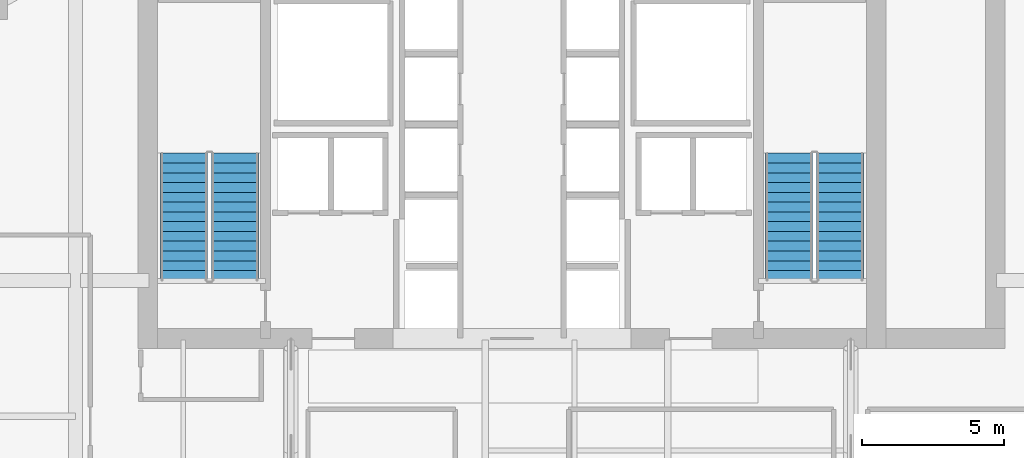
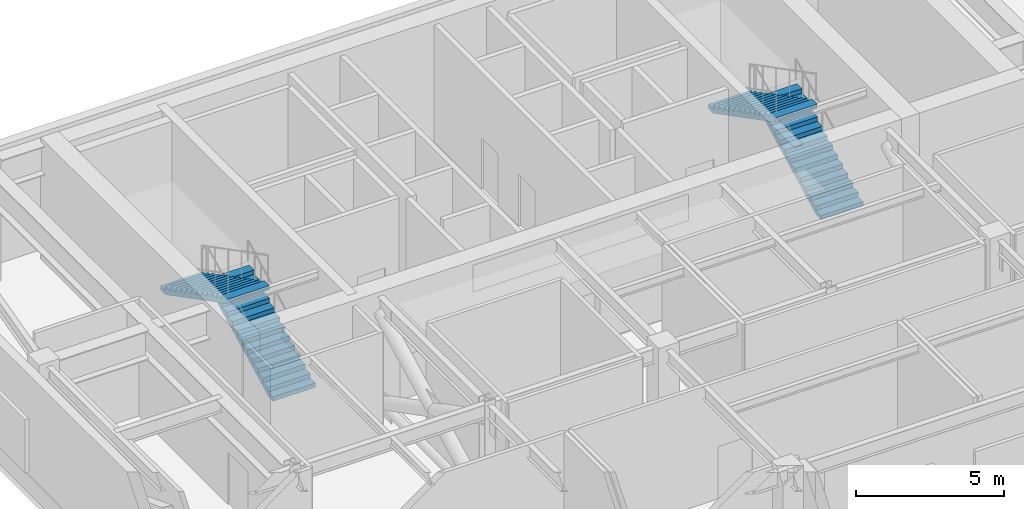
# One storey, part 7 of 12: 4 stair flights, 2 elements without a shape of their own.
"""IFC4 building model written with IfcOpenShell, lengths in metres."""

from ifc_helpers import new_model, si_unit, direction, frame, origin, place, context, subcontext, project, spatial, polyline, outline, extrude, material, type_object, element, aggregate, save


model = new_model("IFC4")

# Units and contexts
model_context = context("Model", 3, precision=1e-05, world=origin(), true_north=direction((0.0, 1.0)))
body_context = subcontext(model_context, "Body", "Model", "MODEL_VIEW")
ifc_project = project(units=[si_unit("LENGTHUNIT", "METRE"), si_unit("AREAUNIT", "SQUARE_METRE"), si_unit("VOLUMEUNIT", "CUBIC_METRE"), si_unit("PLANEANGLEUNIT", "RADIAN"), si_unit("MASSUNIT", "GRAM", prefix="KILO")], contexts=[model_context])

# Site, building, storey
site_placement = place(None, origin())
site = spatial("IfcSite", under=ifc_project, at=site_placement, CompositionType="ELEMENT")
building_placement = place(site_placement, origin())
building = spatial("IfcBuilding", under=site, at=building_placement, Name="Tolvann Quenvar Hotel", CompositionType="ELEMENT")
storey_placement = place(building_placement, frame((0.0, 0.0, 182.550048828125)))
storey = spatial("IfcBuildingStorey", under=building, at=storey_placement, Name="L48", CompositionType="ELEMENT", Elevation=182.550048828125)

# Stair, stair flights
ifc_material = material(Name="Concrete N40 (40 MPa)", Category="concrete")
stair_type = type_object("IfcStairType", Name="STAIR", PredefinedType="HALF_TURN_STAIR", material=ifc_material)
stair_1_placement = place(storey_placement, origin())
stair_1 = element("IfcStair", 1, at=stair_1_placement, inside=storey, type_object=stair_type, Name="L48 ST-C1", PredefinedType="HALF_TURN_STAIR")
stair_flight_type = type_object("IfcStairFlightType", Name="STAIR_FLIGHT", PredefinedType="STRAIGHT", material=ifc_material)
stair_flight_1_placement = place(storey_placement, frame((13.22509765625, 34.0, 0.0), z_axis=(0.0, 0.0, 1.0), x_axis=(0.0, 1.0, 0.0)))
stair_flight_1 = element("IfcStairFlight", 2, at=stair_flight_1_placement, type_object=stair_flight_type, Name="ST-C1 flight 1", NumberOfRisers=14, NumberOfTreads=13, PredefinedType="STRAIGHT", RiserHeight=0.178571429, TreadLength=0.345, context=body_context, shape_type="SweptSolid", body=[
    extrude(outline(polyline([(0.0, 0.0), (0.0, 0.178466796875), (0.344970703125, 0.178466796875), (0.344970703125, 0.357177734375), (0.68994140625, 0.357177734375), (0.68994140625, 0.53564453125), (1.034912109375, 0.53564453125), (1.034912109375, 0.71435546875), (1.3798828125, 0.71435546875), (1.3798828125, 0.892822265625), (1.72509765625, 0.892822265625), (1.72509765625, 1.071533203125), (2.070068359375, 1.071533203125), (2.070068359375, 1.25), (2.4150390625, 1.25), (2.4150390625, 1.428466796875), (2.760009765625, 1.428466796875), (2.760009765625, 1.607177734375), (3.10498046875, 1.607177734375), (3.10498046875, 1.78564453125), (3.449951171875, 1.78564453125), (3.449951171875, 1.96435546875), (3.794921875, 1.96435546875), (3.794921875, 2.142822265625), (4.139892578125, 2.142822265625), (4.139892578125, 2.321533203125), (4.485107421875, 2.321533203125), (4.485107421875, 2.5), (4.485107421875, 2.152587890625), (0.326171875, 0.0), (0.0, 0.0)])), frame((0.0, 0.824951171875, 0.0), z_axis=(0.0, -1.0, 0.0), x_axis=(1.0, 0.0, 0.0)), (0.0, 0.0, 1.0), 1.64990234375),
])
stair_flight_2_placement = place(storey_placement, frame((11.425048828125, 38.485107421875, 2.5), z_axis=(0.0, 0.0, 1.0), x_axis=(0.0, -1.0, 0.0)))
stair_flight_2 = element("IfcStairFlight", 3, at=stair_flight_2_placement, type_object=stair_flight_type, Name="ST-C1 flight 2", NumberOfRisers=14, NumberOfTreads=13, PredefinedType="STRAIGHT", RiserHeight=0.178571429, TreadLength=0.345, context=body_context, shape_type="SweptSolid", body=[
    extrude(outline(polyline([(0.0, 0.0), (0.0, 0.178466796875), (0.344970703125, 0.178466796875), (0.344970703125, 0.357177734375), (0.68994140625, 0.357177734375), (0.68994140625, 0.53564453125), (1.034912109375, 0.53564453125), (1.034912109375, 0.71435546875), (1.3798828125, 0.71435546875), (1.3798828125, 0.892822265625), (1.72509765625, 0.892822265625), (1.72509765625, 1.071533203125), (2.070068359375, 1.071533203125), (2.070068359375, 1.25), (2.4150390625, 1.25), (2.4150390625, 1.428466796875), (2.760009765625, 1.428466796875), (2.760009765625, 1.607177734375), (3.10498046875, 1.607177734375), (3.10498046875, 1.78564453125), (3.449951171875, 1.78564453125), (3.449951171875, 1.96435546875), (3.794921875, 1.96435546875), (3.794921875, 2.142822265625), (4.139892578125, 2.142822265625), (4.139892578125, 2.321533203125), (4.485107421875, 2.321533203125), (4.485107421875, 2.5), (4.485107421875, 2.152587890625), (0.326171875, 0.0), (0.0, 0.0)])), frame((0.0, 0.824951171875, 0.0), z_axis=(0.0, -1.0, 0.0), x_axis=(1.0, 0.0, 0.0)), (0.0, 0.0, 1.0), 1.64990234375),
])
aggregate(stair_1, [stair_flight_1, stair_flight_2])

stair_2_placement = place(storey_placement, origin())
stair_2 = element("IfcStair", 4, at=stair_2_placement, inside=storey, type_object=stair_type, Name="L48 ST-C2", PredefinedType="HALF_TURN_STAIR")
stair_flight_3_placement = place(storey_placement, frame((34.574951171875, 34.0, 0.0), z_axis=(0.0, 0.0, 1.0), x_axis=(0.0, 1.0, 0.0)))
stair_flight_3 = element("IfcStairFlight", 5, at=stair_flight_3_placement, type_object=stair_flight_type, Name="ST-C2 flight 1", NumberOfRisers=14, NumberOfTreads=13, PredefinedType="STRAIGHT", RiserHeight=0.178571429, TreadLength=0.345, context=body_context, shape_type="SweptSolid", body=[
    extrude(outline(polyline([(0.0, 0.0), (0.0, 0.178466796875), (0.344970703125, 0.178466796875), (0.344970703125, 0.357177734375), (0.68994140625, 0.357177734375), (0.68994140625, 0.53564453125), (1.034912109375, 0.53564453125), (1.034912109375, 0.71435546875), (1.3798828125, 0.71435546875), (1.3798828125, 0.892822265625), (1.72509765625, 0.892822265625), (1.72509765625, 1.071533203125), (2.070068359375, 1.071533203125), (2.070068359375, 1.25), (2.4150390625, 1.25), (2.4150390625, 1.428466796875), (2.760009765625, 1.428466796875), (2.760009765625, 1.607177734375), (3.10498046875, 1.607177734375), (3.10498046875, 1.78564453125), (3.449951171875, 1.78564453125), (3.449951171875, 1.96435546875), (3.794921875, 1.96435546875), (3.794921875, 2.142822265625), (4.139892578125, 2.142822265625), (4.139892578125, 2.321533203125), (4.485107421875, 2.321533203125), (4.485107421875, 2.5), (4.485107421875, 2.152587890625), (0.326171875, 0.0), (0.0, 0.0)])), frame((0.0, 0.824951171875, 0.0), z_axis=(0.0, -1.0, 0.0), x_axis=(1.0, 0.0, 0.0)), (0.0, 0.0, 1.0), 1.64990234375),
])
stair_flight_4_placement = place(storey_placement, frame((32.77490234375, 38.485107421875, 2.5), z_axis=(0.0, 0.0, 1.0), x_axis=(0.0, -1.0, 0.0)))
stair_flight_4 = element("IfcStairFlight", 6, at=stair_flight_4_placement, type_object=stair_flight_type, Name="ST-C2 flight 2", NumberOfRisers=14, NumberOfTreads=13, PredefinedType="STRAIGHT", RiserHeight=0.178571429, TreadLength=0.345, context=body_context, shape_type="SweptSolid", body=[
    extrude(outline(polyline([(0.0, 0.0), (0.0, 0.178466796875), (0.344970703125, 0.178466796875), (0.344970703125, 0.357177734375), (0.68994140625, 0.357177734375), (0.68994140625, 0.53564453125), (1.034912109375, 0.53564453125), (1.034912109375, 0.71435546875), (1.3798828125, 0.71435546875), (1.3798828125, 0.892822265625), (1.72509765625, 0.892822265625), (1.72509765625, 1.071533203125), (2.070068359375, 1.071533203125), (2.070068359375, 1.25), (2.4150390625, 1.25), (2.4150390625, 1.428466796875), (2.760009765625, 1.428466796875), (2.760009765625, 1.607177734375), (3.10498046875, 1.607177734375), (3.10498046875, 1.78564453125), (3.449951171875, 1.78564453125), (3.449951171875, 1.96435546875), (3.794921875, 1.96435546875), (3.794921875, 2.142822265625), (4.139892578125, 2.142822265625), (4.139892578125, 2.321533203125), (4.485107421875, 2.321533203125), (4.485107421875, 2.5), (4.485107421875, 2.152587890625), (0.326171875, 0.0), (0.0, 0.0)])), frame((0.0, 0.824951171875, 0.0), z_axis=(0.0, -1.0, 0.0), x_axis=(1.0, 0.0, 0.0)), (0.0, 0.0, 1.0), 1.64990234375),
])
aggregate(stair_2, [stair_flight_3, stair_flight_4])

save(model, "model.ifc")
